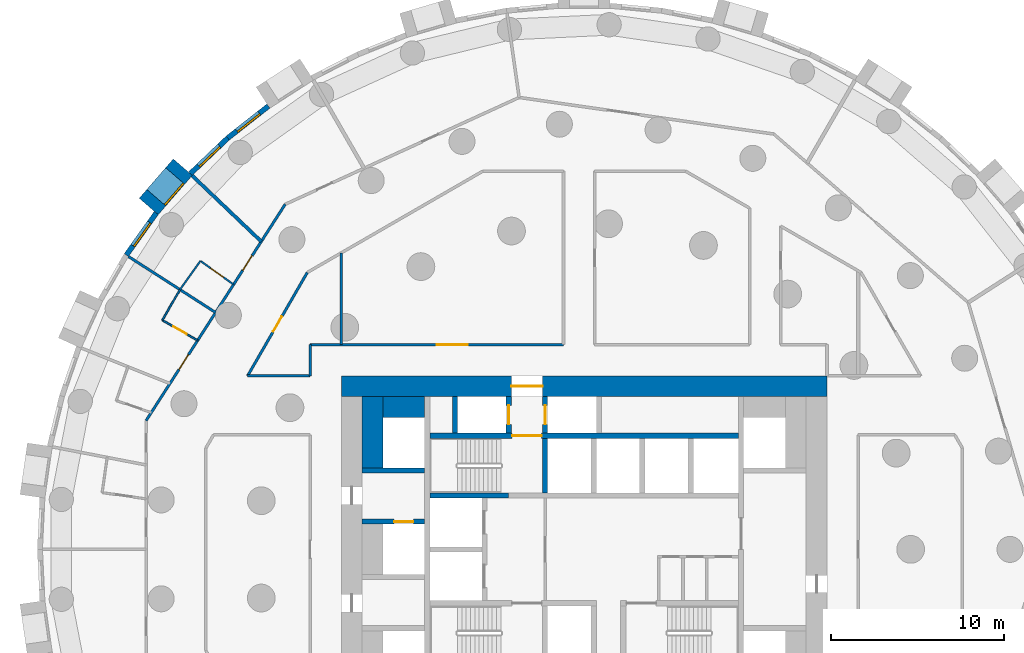
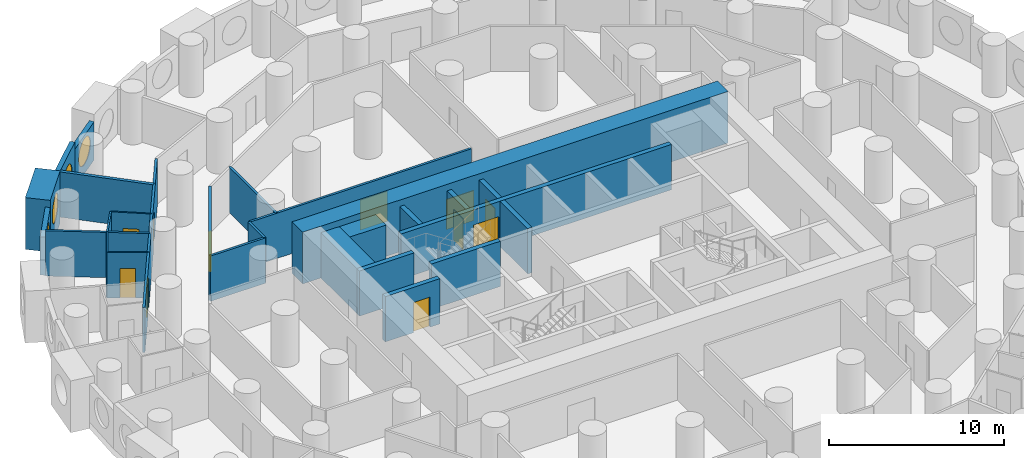
# One storey, part 7 of 11: 27 walls, 11 doors, 4 windows, 15 openings.
"""IFC4 building model written with IfcOpenShell, lengths in metres."""

from ifc_helpers import new_model, si_unit, direction, frame, frame_2d, origin, origin_2d, place, context, subcontext, project, spatial, rectangle, circle, extrude, material, layer, layer_set, type_object, element, fill, save


model = new_model("IFC4")

# Units and contexts
model_context = context("Model", 3, precision=1e-05, world=origin(), true_north=direction((0.0, 1.0)))
body_context = subcontext(model_context, "Body", "Model", "MODEL_VIEW")
ifc_project = project(units=[si_unit("LENGTHUNIT", "METRE"), si_unit("AREAUNIT", "SQUARE_METRE"), si_unit("VOLUMEUNIT", "CUBIC_METRE"), si_unit("PLANEANGLEUNIT", "RADIAN"), si_unit("MASSUNIT", "GRAM", prefix="KILO")], contexts=[model_context])

# Site, building, storey
site_placement = place(None, origin())
site = spatial("IfcSite", under=ifc_project, at=site_placement, CompositionType="ELEMENT")
building_placement = place(site_placement, origin())
building = spatial("IfcBuilding", under=site, at=building_placement, Name="Tracery Tower", CompositionType="ELEMENT")
storey_placement = place(building_placement, frame((0.0, 0.0, 60.60009765625)))
storey = spatial("IfcBuildingStorey", under=building, at=storey_placement, Name="L14", CompositionType="ELEMENT", Elevation=60.60009765625)

# Walls
ifc_material_1 = material(Name="Concrete C60/75", Category="concrete")
ifc_layer_1 = layer(ifc_material_1, 1.199951171875)
ifc_layer_set_1 = layer_set([ifc_layer_1], Name="Core strip wall 1200 C60")
wall_type_1 = type_object("IfcWallType", Name="Core strip wall 1200 C60", PredefinedType="SOLIDWALL", material=ifc_layer_set_1)
wall_1_placement = place(storey_placement, frame((-12.199951171875, 4.699951171875, 0.0), z_axis=(0.0, 0.0, 1.0), x_axis=(0.0, 1.0, 0.0)))
element("IfcWall", 1, at=wall_1_placement, inside=storey, type_object=wall_type_1, Name="L14 wing strip -1 4.55", PredefinedType="SOLIDWALL", context=body_context, shape_type="SweptSolid", body=[
    extrude(rectangle(XDim=4.10009765625, YDim=1.199951171875, at=frame_2d((2.050048828125, 0.0))), origin(), (0.0, 0.0, 1.0), 3.14990234375),
])
wall_2_placement = place(storey_placement, frame((-11.60009765625, 8.199951171875, 0.0), z_axis=(0.0, 0.0, 1.0), x_axis=(1.0, 0.0, 0.0)))
element("IfcWall", 2, at=wall_2_placement, inside=storey, type_object=wall_type_1, Name="L14 wing corner -1 +8.2", PredefinedType="SOLIDWALL", context=body_context, shape_type="SweptSolid", body=[
    extrude(rectangle(XDim=2.400146484375, YDim=1.199951171875, at=frame_2d((1.2001953125, 0.0))), origin(), (0.0, 0.0, 1.0), 3.14990234375),
])

# Wall, opening, door
ifc_material_2 = material(Name="Concrete C60/75", Category="concrete")
ifc_layer_2 = layer(ifc_material_2, 1.199951171875)
ifc_layer_set_2 = layer_set([ifc_layer_2], Name="Core wall 1200 C60")
wall_type_2 = type_object("IfcWallType", Name="Core wall 1200 C60", PredefinedType="SOLIDWALL", material=ifc_layer_set_2)
wall_3_placement = place(storey_placement, frame((-14.0, 9.39990234375, 0.0), z_axis=(0.0, 0.0, 1.0), x_axis=(1.0, 0.0, 0.0)))
wall_3 = element("IfcWall", 3, at=wall_3_placement, inside=storey, type_object=wall_type_2, Name="L14 outer N", PredefinedType="SOLIDWALL", context=body_context, shape_type="SweptSolid", body=[
    extrude(rectangle(XDim=28.0, YDim=1.199951171875, at=frame_2d((14.0, 0.0))), origin(), (0.0, 0.0, 1.0), 3.599853515625),
])
opening_1_placement = place(wall_3_placement, frame((9.800048828125, 0.0, 0.0)))
opening_1 = element("IfcOpeningElement", 4, at=opening_1_placement, cuts=wall_3, Name="Opening KD13", PredefinedType="OPENING", context=body_context, shape_type="SweptSolid", body=[
    extrude(rectangle(XDim=1.800048828125, YDim=2.10009765625, at=frame_2d((0.89990234375, 1.050048828125))), frame((0.0, 0.60009765625, 0.0), z_axis=(0.0, -1.0, 0.0), x_axis=(1.0, 0.0, 0.0)), (0.0, 0.0, 1.0), 1.199951171875),
])
ifc_material_3 = material(Name="Steel fire door", Category="steel")
door_type_1 = type_object("IfcDoorType", Name="Core exit door 1800 double", OperationType="NOTDEFINED", PredefinedType="DOOR", material=ifc_material_3)
door_1_placement = place(opening_1_placement, origin())
door_1 = element("IfcDoor", 5, at=door_1_placement, inside=storey, type_object=door_type_1, Name="Core exit door", OperationType="DOUBLE_DOOR_SINGLE_SWING", OverallHeight=2.10009765625, OverallWidth=1.800048828125, PredefinedType="DOOR", context=body_context, shape_type="SweptSolid", body=[
    extrude(rectangle(XDim=1.800048828125, YDim=2.10009765625, at=frame_2d((0.89990234375, 1.050048828125))), frame((0.0, 0.02490234375, 0.0), z_axis=(0.0, -1.0, 0.0), x_axis=(1.0, 0.0, 0.0)), (0.0, 0.0, 1.0), 0.050048828125),
])
fill(opening_1, door_1)

# Wall, opening, window
ifc_material_4 = material(Name="Precast concrete C50/60", Category="concrete")
ifc_layer_3 = layer(ifc_material_4, 1.449951171875)
ifc_layer_set_3 = layer_set([ifc_layer_3], Name="Deep-set bay unit 3000 x 3600, slab edge 450")
wall_type_3 = type_object("IfcWallType", Name="Deep-set bay unit 3000 x 3600, slab edge 450", PredefinedType="ELEMENTEDWALL", material=ifc_layer_set_3)
wall_4_placement = place(storey_placement, frame((-23.13671875, 22.03271484375, -0.4501953125), z_axis=(0.0, 0.0, 1.0), x_axis=(-0.654890259022, -0.75572398972, 0.0)))
wall_4 = element("IfcWall", 6, at=wall_4_placement, inside=storey, type_object=wall_type_3, Name="Deep-set bay unit 26 at L14", PredefinedType="ELEMENTEDWALL", context=body_context, shape_type="SweptSolid", body=[
    extrude(rectangle(XDim=3.0, YDim=1.449951171875, at=frame_2d((1.5, 0.0))), origin(), (0.0, 0.0, 1.0), 3.60009765625),
])
opening_2_placement = place(wall_4_placement, frame((1.5, 0.0, 2.0)))
opening_2 = element("IfcOpeningElement", 7, at=opening_2_placement, cuts=wall_4, Name="Opening WN1", PredefinedType="OPENING", context=body_context, shape_type="SweptSolid", body=[
    extrude(circle(Radius=0.9000244140625, at=origin_2d()), frame((0.0, 0.73486328125, 0.0), z_axis=(0.0, -1.0, 0.0), x_axis=(1.0, 0.0, 0.0)), (0.0, 0.0, 1.0), 1.469970703125),
])
ifc_material_5 = material(Name="Aluminium frame with tinted double glazing", Category="aluminium")
window_type = type_object("IfcWindowType", Name="Round window 1800", PartitioningType="SINGLE_PANEL", PredefinedType="WINDOW", material=ifc_material_5)
window_1_placement = place(opening_2_placement, origin())
window_1 = element("IfcWindow", 8, at=window_1_placement, inside=storey, type_object=window_type, Name="Round window 26 at L14", OverallHeight=1.800048828125, OverallWidth=1.800048828125, PartitioningType="SINGLE_PANEL", PredefinedType="WINDOW", context=body_context, shape_type="SweptSolid", body=[
    extrude(circle(Radius=0.9000244140625, at=origin_2d()), frame((0.0, 0.69482421875, 0.0), z_axis=(0.0, -1.0, 0.0), x_axis=(1.0, 0.0, 0.0)), (0.0, 0.0, 1.0), 0.10009765625),
])
fill(opening_2, window_1)

ifc_material_6 = material(Name="Precast concrete C50/60", Category="concrete")
ifc_layer_4 = layer(ifc_material_6, 0.300048828125)
ifc_layer_set_4 = layer_set([ifc_layer_4], Name="Facade panel 3000 x 2650")
wall_type_4 = type_object("IfcWallType", Name="Facade panel 3000 x 2650", PredefinedType="SOLIDWALL", material=ifc_layer_set_4)
wall_5_placement = place(storey_placement, frame((-18.20361328125, 25.55322265625, 0.0), z_axis=(0.0, 0.0, 1.0), x_axis=(-0.786045331304, -0.618168858108, 0.0)))
wall_5 = element("IfcWall", 9, at=wall_5_placement, inside=storey, type_object=wall_type_4, Name="Facade panel 24 at L14", PredefinedType="SOLIDWALL", context=body_context, shape_type="SweptSolid", body=[
    extrude(rectangle(XDim=2.979736328125, YDim=0.300048828125, at=frame_2d((1.48974609375, 0.0))), origin(), (0.0, 0.0, 1.0), 2.64990234375),
])
opening_3_placement = place(wall_5_placement, frame((1.48974609375, 0.0, 1.5498046875)))
opening_3 = element("IfcOpeningElement", 10, at=opening_3_placement, cuts=wall_5, Name="Opening WN1", PredefinedType="OPENING", context=body_context, shape_type="SweptSolid", body=[
    extrude(circle(Radius=0.9000244140625, at=origin_2d()), frame((0.0, 0.159912109375, 0.0), z_axis=(0.0, -1.0, 0.0), x_axis=(1.0, 0.0, 0.0)), (0.0, 0.0, 1.0), 0.320068359375),
])
window_2_placement = place(opening_3_placement, origin())
window_2 = element("IfcWindow", 11, at=window_2_placement, inside=storey, type_object=window_type, Name="Round window 24 at L14", OverallHeight=1.800048828125, OverallWidth=1.800048828125, PartitioningType="SINGLE_PANEL", PredefinedType="WINDOW", context=body_context, shape_type="SweptSolid", body=[
    extrude(circle(Radius=0.9000244140625, at=origin_2d()), frame((0.0, 0.1201171875, 0.0), z_axis=(0.0, -1.0, 0.0), x_axis=(1.0, 0.0, 0.0)), (0.0, 0.0, 1.0), 0.10009765625),
])
fill(opening_3, window_2)

wall_6_placement = place(storey_placement, frame((-24.66552734375, 19.389404296875, 0.0), z_axis=(0.0, 0.0, 1.0), x_axis=(-0.580059407678, -0.81457417315, 0.0)))
wall_6 = element("IfcWall", 12, at=wall_6_placement, inside=storey, type_object=wall_type_4, Name="Facade panel 27 at L14", PredefinedType="SOLIDWALL", context=body_context, shape_type="SweptSolid", body=[
    extrude(rectangle(XDim=2.9794921875, YDim=0.300048828125, at=frame_2d((1.48974609375, 0.0))), origin(), (0.0, 0.0, 1.0), 2.64990234375),
])
opening_4_placement = place(wall_6_placement, frame((1.48974609375, 0.0, 1.5498046875)))
opening_4 = element("IfcOpeningElement", 13, at=opening_4_placement, cuts=wall_6, Name="Opening WN1", PredefinedType="OPENING", context=body_context, shape_type="SweptSolid", body=[
    extrude(circle(Radius=0.9000244140625, at=origin_2d()), frame((0.0, 0.159912109375, 0.0), z_axis=(0.0, -1.0, 0.0), x_axis=(1.0, 0.0, 0.0)), (0.0, 0.0, 1.0), 0.320068359375),
])
window_3_placement = place(opening_4_placement, origin())
window_3 = element("IfcWindow", 14, at=window_3_placement, inside=storey, type_object=window_type, Name="Round window 27 at L14", OverallHeight=1.800048828125, OverallWidth=1.800048828125, PartitioningType="SINGLE_PANEL", PredefinedType="WINDOW", context=body_context, shape_type="SweptSolid", body=[
    extrude(circle(Radius=0.9000244140625, at=origin_2d()), frame((0.0, 0.1201171875, 0.0), z_axis=(0.0, -1.0, 0.0), x_axis=(1.0, 0.0, 0.0)), (0.0, 0.0, 1.0), 0.10009765625),
])
fill(opening_4, window_3)

ifc_material_7 = material(Name="Precast concrete C50/60", Category="concrete")
ifc_layer_5 = layer(ifc_material_7, 0.300048828125)
ifc_layer_set_5 = layer_set([ifc_layer_5], Name="Facade panel 3000 x 3150")
wall_type_5 = type_object("IfcWallType", Name="Facade panel 3000 x 3150", PredefinedType="SOLIDWALL", material=ifc_layer_set_5)
wall_7_placement = place(storey_placement, frame((-20.5458984375, 23.711181640625, 0.0), z_axis=(0.0, 0.0, 1.0), x_axis=(-0.723744206617, -0.690068346896, 0.0)))
wall_7 = element("IfcWall", 15, at=wall_7_placement, inside=storey, type_object=wall_type_5, Name="Facade panel 25 at L14", PredefinedType="SOLIDWALL", context=body_context, shape_type="SweptSolid", body=[
    extrude(rectangle(XDim=2.979736328125, YDim=0.300048828125, at=frame_2d((1.48974609375, 0.0))), origin(), (0.0, 0.0, 1.0), 3.14990234375),
])
opening_5_placement = place(wall_7_placement, frame((1.48974609375, 0.0, 1.5498046875)))
opening_5 = element("IfcOpeningElement", 16, at=opening_5_placement, cuts=wall_7, Name="Opening WN1", PredefinedType="OPENING", context=body_context, shape_type="SweptSolid", body=[
    extrude(circle(Radius=0.9000244140625, at=origin_2d()), frame((0.0, 0.159912109375, 0.0), z_axis=(0.0, -1.0, 0.0), x_axis=(1.0, 0.0, 0.0)), (0.0, 0.0, 1.0), 0.320068359375),
])
window_4_placement = place(opening_5_placement, origin())
window_4 = element("IfcWindow", 17, at=window_4_placement, inside=storey, type_object=window_type, Name="Round window 25 at L14", OverallHeight=1.800048828125, OverallWidth=1.800048828125, PartitioningType="SINGLE_PANEL", PredefinedType="WINDOW", context=body_context, shape_type="SweptSolid", body=[
    extrude(circle(Radius=0.9000244140625, at=origin_2d()), frame((0.0, 0.1201171875, 0.0), z_axis=(0.0, -1.0, 0.0), x_axis=(1.0, 0.0, 0.0)), (0.0, 0.0, 1.0), 0.10009765625),
])
fill(opening_5, window_4)

# Wall, opening, door
ifc_material_8 = material(Name="Plasterboard on steel studs", Category="steel")
ifc_layer_6 = layer(ifc_material_8, 0.10009765625)
ifc_layer_set_6 = layer_set([ifc_layer_6], Name="Partition 100 wet wall")
wall_type_6 = type_object("IfcWallType", Name="Partition 100 wet wall", PredefinedType="PARTITIONING", material=ifc_layer_set_6)
wall_8_placement = place(storey_placement, frame((-22.118896484375, 16.6279296875, 0.0), z_axis=(0.0, 0.0, 1.0), x_axis=(0.814498780807, -0.580165266165, 0.0)))
wall_8 = element("IfcWall", 18, at=wall_8_placement, inside=storey, type_object=wall_type_6, Name="Wet wall RA4-071", PredefinedType="PARTITIONING", context=body_context, shape_type="SweptSolid", body=[
    extrude(rectangle(XDim=2.347412109375, YDim=0.10009765625, at=frame_2d((1.173828125, 0.0))), origin(), (0.0, 0.0, 1.0), 3.14990234375),
])
opening_6_placement = place(wall_8_placement, frame((0.723388671875, 0.0, 0.0)))
opening_6 = element("IfcOpeningElement", 19, at=opening_6_placement, cuts=wall_8, Name="Opening RA4-18", PredefinedType="OPENING", context=body_context, shape_type="SweptSolid", body=[
    extrude(rectangle(XDim=0.89990234375, YDim=2.0400390625, at=frame_2d((0.449951171875, 1.02001953125))), frame((0.0, 0.050048828125, 0.0), z_axis=(0.0, -1.0, 0.0), x_axis=(1.0, 0.0, 0.0)), (0.0, 0.0, 1.0), 0.10009765625),
])
ifc_material_9 = material(Name="Timber door leaf", Category="wood")
door_type_2 = type_object("IfcDoorType", Name="Door en-suite 900", OperationType="NOTDEFINED", PredefinedType="DOOR", material=ifc_material_9)
door_2_placement = place(opening_6_placement, origin())
door_2 = element("IfcDoor", 20, at=door_2_placement, inside=storey, type_object=door_type_2, Name="En-suite door RA4-18", OperationType="SINGLE_SWING_RIGHT", OverallHeight=2.0400390625, OverallWidth=0.89990234375, PredefinedType="DOOR", context=body_context, shape_type="SweptSolid", body=[
    extrude(rectangle(XDim=0.89990234375, YDim=2.0400390625, at=frame_2d((0.449951171875, 1.02001953125))), frame((0.0, 0.02490234375, 0.0), z_axis=(0.0, -1.0, 0.0), x_axis=(1.0, 0.0, 0.0)), (0.0, 0.0, 1.0), 0.050048828125),
])
fill(opening_6, door_2)

# Walls
for number, where, z_axis, x_axis, name in (
    (21, (-23.298095703125, 14.972900390625, 0.0), (0.0, 0.0, 1.0), (0.580271800959, 0.81442288586, 0.0), "Wet wall RA4-072"),
    (22, (-24.31396484375, 13.212890625, 0.0), (0.0, 0.0, 1.0), (0.499899251727, 0.866083563014, 0.0), "Wet wall RA4-074"),
):
    element("IfcWall", number, at=place(storey_placement, frame(where, z_axis=z_axis, x_axis=x_axis)), inside=storey, type_object=wall_type_6, Name=name, PredefinedType="PARTITIONING", context=body_context, shape_type="SweptSolid", body=[
        extrude(rectangle(XDim=2.0322265625, YDim=0.10009765625, at=frame_2d((1.01611328125, 0.0))), origin(), (0.0, 0.0, 1.0), 3.14990234375),
    ])

# Wall, opening, door
wall_9_placement = place(storey_placement, frame((-24.31396484375, 13.212890625, 0.0), z_axis=(0.0, 0.0, 1.0), x_axis=(0.866007195875, -0.500031535699, 0.0)))
wall_9 = element("IfcWall", 23, at=wall_9_placement, inside=storey, type_object=wall_type_6, Name="Wet wall RA4-075", PredefinedType="PARTITIONING", context=body_context, shape_type="SweptSolid", body=[
    extrude(rectangle(XDim=2.347412109375, YDim=0.10009765625, at=frame_2d((1.173828125, 0.0))), origin(), (0.0, 0.0, 1.0), 3.14990234375),
])
opening_7_placement = place(wall_9_placement, frame((0.72412109375, 0.0, 0.0)))
opening_7 = element("IfcOpeningElement", 24, at=opening_7_placement, cuts=wall_9, Name="Opening RA4-20", PredefinedType="OPENING", context=body_context, shape_type="SweptSolid", body=[
    extrude(rectangle(XDim=0.89990234375, YDim=2.0400390625, at=frame_2d((0.449951171875, 1.02001953125))), frame((0.0, 0.050048828125, 0.0), z_axis=(0.0, -1.0, 0.0), x_axis=(1.0, 0.0, 0.0)), (0.0, 0.0, 1.0), 0.10009765625),
])
door_3_placement = place(opening_7_placement, origin())
door_3 = element("IfcDoor", 25, at=door_3_placement, inside=storey, type_object=door_type_2, Name="En-suite door RA4-20", OperationType="SINGLE_SWING_RIGHT", OverallHeight=2.0400390625, OverallWidth=0.89990234375, PredefinedType="DOOR", context=body_context, shape_type="SweptSolid", body=[
    extrude(rectangle(XDim=0.89990234375, YDim=2.0400390625, at=frame_2d((0.449951171875, 1.02001953125))), frame((0.0, 0.02490234375, 0.0), z_axis=(0.0, -1.0, 0.0), x_axis=(1.0, 0.0, 0.0)), (0.0, 0.0, 1.0), 0.050048828125),
])
fill(opening_7, door_3)

# Walls
ifc_material_10 = material(Name="Plasterboard on steel studs", Category="steel")
ifc_layer_7 = layer(ifc_material_10, 0.14990234375)
ifc_layer_set_7 = layer_set([ifc_layer_7], Name="Partition 150 acoustic unit wall")
wall_type_7 = type_object("IfcWallType", Name="Partition 150 acoustic unit wall", PredefinedType="PARTITIONING", material=ifc_layer_set_7)
wall_10_placement = place(storey_placement, frame((-14.0, 11.800048828125, 0.0), z_axis=(0.0, 0.0, 1.0), x_axis=(0.0, 1.0, 0.0)))
element("IfcWall", 26, at=wall_10_placement, inside=storey, type_object=wall_type_7, Name="Unit wall RA4-061", PredefinedType="PARTITIONING", context=body_context, shape_type="SweptSolid", body=[
    extrude(rectangle(XDim=5.2919921875, YDim=0.14990234375, at=frame_2d((2.64599609375, 0.0))), origin(), (0.0, 0.0, 1.0), 3.14990234375),
])
wall_11_placement = place(storey_placement, frame((-26.26806640625, 16.881103515625, 0.0), z_axis=(0.0, 0.0, 1.0), x_axis=(0.841333855553, -0.540515812443, 0.0)))
element("IfcWall", 27, at=wall_11_placement, inside=storey, type_object=wall_type_7, Name="Unit wall RA4-073", PredefinedType="PARTITIONING", context=body_context, shape_type="SweptSolid", body=[
    extrude(rectangle(XDim=5.9716796875, YDim=0.14990234375, at=frame_2d((2.98583984375, 0.0))), origin(), (0.0, 0.0, 1.0), 3.14990234375),
])

# Wall, opening, door
ifc_material_11 = material(Name="Plasterboard on steel studs", Category="steel")
ifc_layer_8 = layer(ifc_material_11, 0.14990234375)
ifc_layer_set_8 = layer_set([ifc_layer_8], Name="Partition 150 corridor wall")
wall_type_8 = type_object("IfcWallType", Name="Partition 150 corridor wall", PredefinedType="PARTITIONING", material=ifc_layer_set_8)
wall_12_placement = place(storey_placement, frame((-15.800048828125, 11.800048828125, 0.0), z_axis=(0.0, 0.0, 1.0), x_axis=(1.0, 0.0, 0.0)))
wall_12 = element("IfcWall", 28, at=wall_12_placement, inside=storey, type_object=wall_type_8, Name="Corridor wall RA4-001", PredefinedType="PARTITIONING", context=body_context, shape_type="SweptSolid", body=[
    extrude(rectangle(XDim=14.612060546875, YDim=0.14990234375, at=frame_2d((7.30615234375, 0.0))), origin(), (0.0, 0.0, 1.0), 3.14990234375),
])
opening_8_placement = place(wall_12_placement, frame((7.303955078125, 0.0, 0.0)))
opening_8 = element("IfcOpeningElement", 29, at=opening_8_placement, cuts=wall_12, Name="Opening RA4-01", PredefinedType="OPENING", context=body_context, shape_type="SweptSolid", body=[
    extrude(rectangle(XDim=1.800048828125, YDim=2.10009765625, at=frame_2d((0.89990234375, 1.050048828125))), frame((0.0, 0.074951171875, 0.0), z_axis=(0.0, -1.0, 0.0), x_axis=(1.0, 0.0, 0.0)), (0.0, 0.0, 1.0), 0.14990234375),
])
ifc_material_12 = material(Name="Timber door leaf", Category="wood")
door_type_3 = type_object("IfcDoorType", Name="Door double lounge 1800", OperationType="NOTDEFINED", PredefinedType="DOOR", material=ifc_material_12)
door_4_placement = place(opening_8_placement, origin())
door_4 = element("IfcDoor", 30, at=door_4_placement, inside=storey, type_object=door_type_3, Name="Double lounge door RA4-01", OperationType="DOUBLE_DOOR_SINGLE_SWING", OverallHeight=2.10009765625, OverallWidth=1.800048828125, PredefinedType="DOOR", context=body_context, shape_type="SweptSolid", body=[
    extrude(rectangle(XDim=1.800048828125, YDim=2.10009765625, at=frame_2d((0.89990234375, 1.050048828125))), frame((0.0, 0.02490234375, 0.0), z_axis=(0.0, -1.0, 0.0), x_axis=(1.0, 0.0, 0.0)), (0.0, 0.0, 1.0), 0.050048828125),
])
fill(opening_8, door_4)

# Wall
wall_13_placement = place(storey_placement, frame((-15.800048828125, 10.0, 0.0), z_axis=(0.0, 0.0, 1.0), x_axis=(0.0, 1.0, 0.0)))
element("IfcWall", 31, at=wall_13_placement, inside=storey, type_object=wall_type_8, Name="Corridor wall RA4-005", PredefinedType="PARTITIONING", context=body_context, shape_type="SweptSolid", body=[
    extrude(rectangle(XDim=1.800048828125, YDim=0.14990234375, at=frame_2d((0.89990234375, 0.0))), origin(), (0.0, 0.0, 1.0), 3.14990234375),
])

# Wall, openings, doors
wall_14_placement = place(storey_placement, frame((-25.2548828125, 7.416259765625, 0.0), z_axis=(0.0, 0.0, 1.0), x_axis=(0.540805851332, 0.841147449123, 0.0)))
wall_14 = element("IfcWall", 32, at=wall_14_placement, inside=storey, type_object=wall_type_8, Name="Corridor wall RA4-037", PredefinedType="PARTITIONING", context=body_context, shape_type="SweptSolid", body=[
    extrude(rectangle(XDim=14.829345703125, YDim=0.14990234375, at=frame_2d((7.41455078125, 0.0))), origin(), (0.0, 0.0, 1.0), 3.14990234375),
])
opening_9_placement = place(wall_14_placement, frame((10.30712890625, 0.0, 0.0)))
opening_9 = element("IfcOpeningElement", 33, at=opening_9_placement, cuts=wall_14, Name="Opening RA4-19", PredefinedType="OPENING", context=body_context, shape_type="SweptSolid", body=[
    extrude(rectangle(XDim=1.0, YDim=2.10009765625, at=frame_2d((0.5, 1.050048828125))), frame((0.0, 0.074951171875, 0.0), z_axis=(0.0, -1.0, 0.0), x_axis=(1.0, 0.0, 0.0)), (0.0, 0.0, 1.0), 0.14990234375),
])
opening_10_placement = place(wall_14_placement, frame((3.521728515625, 0.0, 0.0)))
opening_10 = element("IfcOpeningElement", 34, at=opening_10_placement, cuts=wall_14, Name="Opening RA4-21", PredefinedType="OPENING", context=body_context, shape_type="SweptSolid", body=[
    extrude(rectangle(XDim=1.0, YDim=2.10009765625, at=frame_2d((0.5, 1.050048828125))), frame((0.0, 0.074951171875, 0.0), z_axis=(0.0, -1.0, 0.0), x_axis=(1.0, 0.0, 0.0)), (0.0, 0.0, 1.0), 0.14990234375),
])
ifc_material_13 = material(Name="Timber door leaf", Category="wood")
door_type_4 = type_object("IfcDoorType", Name="Door unit entrance 1000", OperationType="NOTDEFINED", PredefinedType="DOOR", material=ifc_material_13)
door_5_placement = place(opening_9_placement, origin())
door_5 = element("IfcDoor", 35, at=door_5_placement, inside=storey, type_object=door_type_4, Name="Unit entrance door RA4-19", OperationType="SINGLE_SWING_LEFT", OverallHeight=2.10009765625, OverallWidth=1.0, PredefinedType="DOOR", context=body_context, shape_type="SweptSolid", body=[
    extrude(rectangle(XDim=1.0, YDim=2.10009765625, at=frame_2d((0.5, 1.050048828125))), frame((0.0, 0.02490234375, 0.0), z_axis=(0.0, -1.0, 0.0), x_axis=(1.0, 0.0, 0.0)), (0.0, 0.0, 1.0), 0.050048828125),
])
fill(opening_9, door_5)
door_6_placement = place(opening_10_placement, origin())
door_6 = element("IfcDoor", 36, at=door_6_placement, inside=storey, type_object=door_type_4, Name="Unit entrance door RA4-21", OperationType="SINGLE_SWING_LEFT", OverallHeight=2.10009765625, OverallWidth=1.0, PredefinedType="DOOR", context=body_context, shape_type="SweptSolid", body=[
    extrude(rectangle(XDim=1.0, YDim=2.10009765625, at=frame_2d((0.5, 1.050048828125))), frame((0.0, 0.02490234375, 0.0), z_axis=(0.0, -1.0, 0.0), x_axis=(1.0, 0.0, 0.0)), (0.0, 0.0, 1.0), 0.050048828125),
])
fill(opening_10, door_6)

# Wall, opening, door
wall_15_placement = place(storey_placement, frame((-19.40087890625, 10.0, 0.0), z_axis=(0.0, 0.0, 1.0), x_axis=(0.499992689227, 0.86602962462, 0.0)))
wall_15 = element("IfcWall", 37, at=wall_15_placement, inside=storey, type_object=wall_type_8, Name="Corridor wall RA4-043", PredefinedType="PARTITIONING", context=body_context, shape_type="SweptSolid", body=[
    extrude(rectangle(XDim=6.8818359375, YDim=0.14990234375, at=frame_2d((3.44091796875, 0.0))), origin(), (0.0, 0.0, 1.0), 3.14990234375),
])
opening_11_placement = place(wall_15_placement, frame((2.94091796875, 0.0, 0.0)))
opening_11 = element("IfcOpeningElement", 38, at=opening_11_placement, cuts=wall_15, Name="Opening RA4-11", PredefinedType="OPENING", context=body_context, shape_type="SweptSolid", body=[
    extrude(rectangle(XDim=1.0, YDim=2.0400390625, at=frame_2d((0.5, 1.02001953125))), frame((0.0, 0.074951171875, 0.0), z_axis=(0.0, -1.0, 0.0), x_axis=(1.0, 0.0, 0.0)), (0.0, 0.0, 1.0), 0.14990234375),
])
ifc_material_14 = material(Name="Timber door leaf", Category="wood")
door_type_5 = type_object("IfcDoorType", Name="Door communal room 1000", OperationType="NOTDEFINED", PredefinedType="DOOR", material=ifc_material_14)
door_7_placement = place(opening_11_placement, origin())
door_7 = element("IfcDoor", 39, at=door_7_placement, inside=storey, type_object=door_type_5, Name="Communal room door RA4-11", OperationType="SINGLE_SWING_LEFT", OverallHeight=2.0400390625, OverallWidth=1.0, PredefinedType="DOOR", context=body_context, shape_type="SweptSolid", body=[
    extrude(rectangle(XDim=1.0, YDim=2.0400390625, at=frame_2d((0.5, 1.02001953125))), frame((0.0, 0.02490234375, 0.0), z_axis=(0.0, -1.0, 0.0), x_axis=(1.0, 0.0, 0.0)), (0.0, 0.0, 1.0), 0.050048828125),
])
fill(opening_11, door_7)

# Walls
wall_16_placement = place(storey_placement, frame((-19.40087890625, 10.0, 0.0), z_axis=(0.0, 0.0, 1.0), x_axis=(1.0, 0.0, 0.0)))
element("IfcWall", 40, at=wall_16_placement, inside=storey, type_object=wall_type_8, Name="Corridor wall RA4-044", PredefinedType="PARTITIONING", context=body_context, shape_type="SweptSolid", body=[
    extrude(rectangle(XDim=3.600830078125, YDim=0.14990234375, at=frame_2d((1.80029296875, 0.0))), origin(), (0.0, 0.0, 1.0), 3.14990234375),
])
ifc_material_15 = material(Name="Plasterboard on steel studs", Category="steel")
ifc_layer_9 = layer(ifc_material_15, 0.199951171875)
ifc_layer_set_9 = layer_set([ifc_layer_9], Name="Partition 200 compartment wall")
wall_type_9 = type_object("IfcWallType", Name="Partition 200 compartment wall", PredefinedType="PARTITIONING", material=ifc_layer_set_9)
wall_17_placement = place(storey_placement, frame((-22.597900390625, 21.547119140625, 0.0), z_axis=(0.0, 0.0, 1.0), x_axis=(0.723689650329, -0.690125561044, 0.0)))
element("IfcWall", 41, at=wall_17_placement, inside=storey, type_object=wall_type_9, Name="Compartment wall RA4-070", PredefinedType="PARTITIONING", context=body_context, shape_type="SweptSolid", body=[
    extrude(rectangle(XDim=5.50634765625, YDim=0.199951171875, at=frame_2d((2.753173828125, 0.0))), origin(), (0.0, 0.0, 1.0), 3.14990234375),
])
ifc_material_16 = material(Name="Concrete C60/75", Category="concrete")
ifc_layer_10 = layer(ifc_material_16, 0.300048828125)
ifc_layer_set_10 = layer_set([ifc_layer_10], Name="Shaft wall 300 C60")
wall_type_10 = type_object("IfcWallType", Name="Shaft wall 300 C60", PredefinedType="SOLIDWALL", material=ifc_layer_set_10)
wall_18_placement = place(storey_placement, frame((-7.449951171875, 6.699951171875, 0.0), z_axis=(0.0, 0.0, 1.0), x_axis=(0.0, 1.0, 0.0)))
element("IfcWall", 42, at=wall_18_placement, inside=storey, type_object=wall_type_10, Name="L14 LR sep -7.45", PredefinedType="SOLIDWALL", context=body_context, shape_type="SweptSolid", body=[
    extrude(rectangle(XDim=2.10009765625, YDim=0.300048828125, at=frame_2d((1.050048828125, 0.0))), origin(), (0.0, 0.0, 1.0), 3.14990234375),
])

# Wall, opening, door
wall_19_placement = place(storey_placement, frame((-4.35009765625, 6.699951171875, 0.0), z_axis=(0.0, 0.0, 1.0), x_axis=(0.0, 1.0, 0.0)))
wall_19 = element("IfcWall", 43, at=wall_19_placement, inside=storey, type_object=wall_type_10, Name="L14 LR sep -4.35", PredefinedType="SOLIDWALL", context=body_context, shape_type="SweptSolid", body=[
    extrude(rectangle(XDim=2.10009765625, YDim=0.300048828125, at=frame_2d((1.050048828125, 0.0))), origin(), (0.0, 0.0, 1.0), 3.14990234375),
])
opening_12_placement = place(wall_19_placement, frame((0.5, 0.0, 0.0)))
opening_12 = element("IfcOpeningElement", 44, at=opening_12_placement, cuts=wall_19, Name="Opening KD50", PredefinedType="OPENING", context=body_context, shape_type="SweptSolid", body=[
    extrude(rectangle(XDim=1.10009765625, YDim=2.10009765625, at=frame_2d((0.550048828125, 1.050048828125))), frame((0.0, 0.14990234375, 0.0), z_axis=(0.0, -1.0, 0.0), x_axis=(1.0, 0.0, 0.0)), (0.0, 0.0, 1.0), 0.300048828125),
])
ifc_material_17 = material(Name="Steel fire door", Category="steel")
door_type_6 = type_object("IfcDoorType", Name="Landing door 1100", OperationType="NOTDEFINED", PredefinedType="DOOR", material=ifc_material_17)
door_8_placement = place(opening_12_placement, origin())
door_8 = element("IfcDoor", 45, at=door_8_placement, inside=storey, type_object=door_type_6, Name="Landing door LR3", OperationType="SLIDING_TO_RIGHT", OverallHeight=2.10009765625, OverallWidth=1.10009765625, PredefinedType="DOOR", context=body_context, shape_type="SweptSolid", body=[
    extrude(rectangle(XDim=1.10009765625, YDim=2.10009765625, at=frame_2d((0.550048828125, 1.050048828125))), frame((0.0, 0.02490234375, 0.0), z_axis=(0.0, -1.0, 0.0), x_axis=(1.0, 0.0, 0.0)), (0.0, 0.0, 1.0), 0.050048828125),
])
fill(opening_12, door_8)

# Wall
wall_20_placement = place(storey_placement, frame((-12.800048828125, 4.550048828125, 0.0), z_axis=(0.0, 0.0, 1.0), x_axis=(1.0, 0.0, 0.0)))
element("IfcWall", 46, at=wall_20_placement, inside=storey, type_object=wall_type_10, Name="L14 wing shaft wall -1 +4.55", PredefinedType="SOLIDWALL", context=body_context, shape_type="SweptSolid", body=[
    extrude(rectangle(XDim=3.60009765625, YDim=0.300048828125, at=frame_2d((1.800048828125, 0.0))), origin(), (0.0, 0.0, 1.0), 3.14990234375),
])

# Wall, opening, door
wall_21_placement = place(storey_placement, frame((-12.800048828125, 1.60009765625, 0.0), z_axis=(0.0, 0.0, 1.0), x_axis=(1.0, 0.0, 0.0)))
wall_21 = element("IfcWall", 47, at=wall_21_placement, inside=storey, type_object=wall_type_10, Name="L14 wing shaft wall -1 +1.60", PredefinedType="SOLIDWALL", context=body_context, shape_type="SweptSolid", body=[
    extrude(rectangle(XDim=3.60009765625, YDim=0.300048828125, at=frame_2d((1.800048828125, 0.0))), origin(), (0.0, 0.0, 1.0), 3.14990234375),
])
opening_13_placement = place(wall_21_placement, frame((1.85009765625, 0.0, 0.0)))
opening_13 = element("IfcOpeningElement", 48, at=opening_13_placement, cuts=wall_21, Name="Opening KD50", PredefinedType="OPENING", context=body_context, shape_type="SweptSolid", body=[
    extrude(rectangle(XDim=1.10009765625, YDim=2.10009765625, at=frame_2d((0.550048828125, 1.050048828125))), frame((0.0, 0.14990234375, 0.0), z_axis=(0.0, -1.0, 0.0), x_axis=(1.0, 0.0, 0.0)), (0.0, 0.0, 1.0), 0.300048828125),
])
door_9_placement = place(opening_13_placement, origin())
door_9 = element("IfcDoor", 49, at=door_9_placement, inside=storey, type_object=door_type_6, Name="Landing door LR1", OperationType="SLIDING_TO_RIGHT", OverallHeight=2.10009765625, OverallWidth=1.10009765625, PredefinedType="DOOR", context=body_context, shape_type="SweptSolid", body=[
    extrude(rectangle(XDim=1.10009765625, YDim=2.10009765625, at=frame_2d((0.550048828125, 1.050048828125))), frame((0.0, 0.02490234375, 0.0), z_axis=(0.0, -1.0, 0.0), x_axis=(1.0, 0.0, 0.0)), (0.0, 0.0, 1.0), 0.050048828125),
])
fill(opening_13, door_9)

# Walls
ifc_material_18 = material(Name="Concrete C60/75", Category="concrete")
ifc_layer_11 = layer(ifc_material_18, 0.300048828125)
ifc_layer_set_11 = layer_set([ifc_layer_11], Name="Stair wall 300 C60")
wall_type_11 = type_object("IfcWallType", Name="Stair wall 300 C60", PredefinedType="SOLIDWALL", material=ifc_layer_set_11)
wall_22_placement = place(storey_placement, frame((-8.89990234375, 3.10009765625, 0.0), z_axis=(0.0, 0.0, 1.0), x_axis=(1.0, 0.0, 0.0)))
element("IfcWall", 50, at=wall_22_placement, inside=storey, type_object=wall_type_11, Name="L14 row N W", PredefinedType="SOLIDWALL", context=body_context, shape_type="SweptSolid", body=[
    extrude(rectangle(XDim=4.5498046875, YDim=0.300048828125, at=frame_2d((2.27490234375, 0.0))), origin(), (0.0, 0.0, 1.0), 3.14990234375),
])
wall_23_placement = place(storey_placement, frame((-2.25, 3.25, 0.0), z_axis=(0.0, 0.0, 1.0), x_axis=(0.0, 1.0, 0.0)))
element("IfcWall", 51, at=wall_23_placement, inside=storey, type_object=wall_type_11, Name="L14 ST3 E", PredefinedType="SOLIDWALL", context=body_context, shape_type="SweptSolid", body=[
    extrude(rectangle(XDim=3.14990234375, YDim=0.300048828125, at=frame_2d((1.574951171875, 0.0))), origin(), (0.0, 0.0, 1.0), 3.14990234375),
])

# Wall, opening, door
wall_24_placement = place(storey_placement, frame((-8.89990234375, 6.550048828125, 0.0), z_axis=(0.0, 0.0, 1.0), x_axis=(1.0, 0.0, 0.0)))
wall_24 = element("IfcWall", 52, at=wall_24_placement, inside=storey, type_object=wall_type_11, Name="L14 F N", PredefinedType="SOLIDWALL", context=body_context, shape_type="SweptSolid", body=[
    extrude(rectangle(XDim=17.7998046875, YDim=0.300048828125, at=frame_2d((8.89990234375, 0.0))), origin(), (0.0, 0.0, 1.0), 3.14990234375),
])
opening_14_placement = place(wall_24_placement, frame((4.75, 0.0, 0.0)))
opening_14 = element("IfcOpeningElement", 53, at=opening_14_placement, cuts=wall_24, Name="Opening KD3", PredefinedType="OPENING", context=body_context, shape_type="SweptSolid", body=[
    extrude(rectangle(XDim=1.699951171875, YDim=2.10009765625, at=frame_2d((0.85009765625, 1.050048828125))), frame((0.0, 0.14990234375, 0.0), z_axis=(0.0, -1.0, 0.0), x_axis=(1.0, 0.0, 0.0)), (0.0, 0.0, 1.0), 0.300048828125),
])
ifc_material_19 = material(Name="Steel fire door", Category="steel")
door_type_7 = type_object("IfcDoorType", Name="Core stair door 1700 double", OperationType="NOTDEFINED", PredefinedType="DOOR", material=ifc_material_19)
door_10_placement = place(opening_14_placement, origin())
door_10 = element("IfcDoor", 54, at=door_10_placement, inside=storey, type_object=door_type_7, Name="Stair door ST3 N", OperationType="DOUBLE_DOOR_SINGLE_SWING", OverallHeight=2.10009765625, OverallWidth=1.699951171875, PredefinedType="DOOR", context=body_context, shape_type="SweptSolid", body=[
    extrude(rectangle(XDim=1.699951171875, YDim=2.10009765625, at=frame_2d((0.85009765625, 1.050048828125))), frame((0.0, 0.02490234375, 0.0), z_axis=(0.0, -1.0, 0.0), x_axis=(1.0, 0.0, 0.0)), (0.0, 0.0, 1.0), 0.050048828125),
])
fill(opening_14, door_10)

wall_25_placement = place(storey_placement, frame((-2.25, 6.699951171875, 0.0), z_axis=(0.0, 0.0, 1.0), x_axis=(0.0, 1.0, 0.0)))
wall_25 = element("IfcWall", 55, at=wall_25_placement, inside=storey, type_object=wall_type_11, Name="L14 ST3 E out", PredefinedType="SOLIDWALL", context=body_context, shape_type="SweptSolid", body=[
    extrude(rectangle(XDim=2.10009765625, YDim=0.300048828125, at=frame_2d((1.050048828125, 0.0))), origin(), (0.0, 0.0, 1.0), 3.14990234375),
])
opening_15_placement = place(wall_25_placement, frame((0.5, 0.0, 0.0)))
opening_15 = element("IfcOpeningElement", 56, at=opening_15_placement, cuts=wall_25, Name="Opening KD49", PredefinedType="OPENING", context=body_context, shape_type="SweptSolid", body=[
    extrude(rectangle(XDim=1.10009765625, YDim=2.10009765625, at=frame_2d((0.550048828125, 1.050048828125))), frame((0.0, 0.14990234375, 0.0), z_axis=(0.0, -1.0, 0.0), x_axis=(1.0, 0.0, 0.0)), (0.0, 0.0, 1.0), 0.300048828125),
])
door_11_placement = place(opening_15_placement, origin())
door_11 = element("IfcDoor", 57, at=door_11_placement, inside=storey, type_object=door_type_6, Name="Landing door LR2", OperationType="SLIDING_TO_LEFT", OverallHeight=2.10009765625, OverallWidth=1.10009765625, PredefinedType="DOOR", context=body_context, shape_type="SweptSolid", body=[
    extrude(rectangle(XDim=1.10009765625, YDim=2.10009765625, at=frame_2d((0.550048828125, 1.050048828125))), frame((0.0, 0.02490234375, 0.0), z_axis=(0.0, -1.0, 0.0), x_axis=(1.0, 0.0, 0.0)), (0.0, 0.0, 1.0), 0.050048828125),
])
fill(opening_15, door_11)

save(model, "model.ifc")
